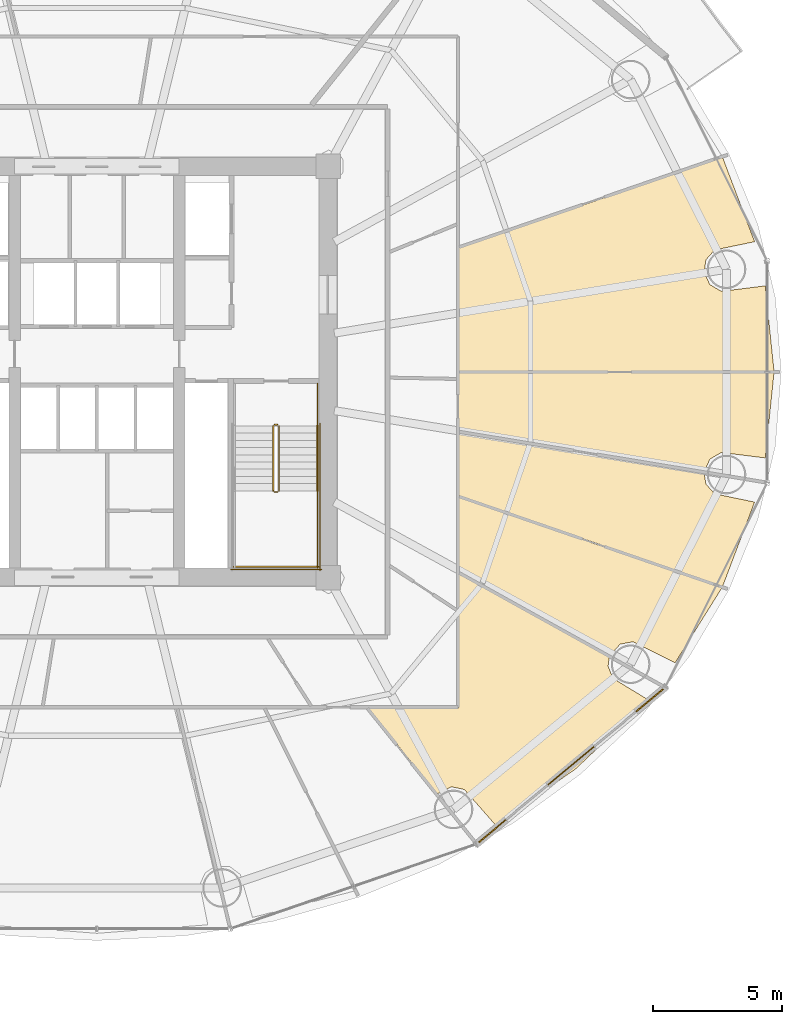
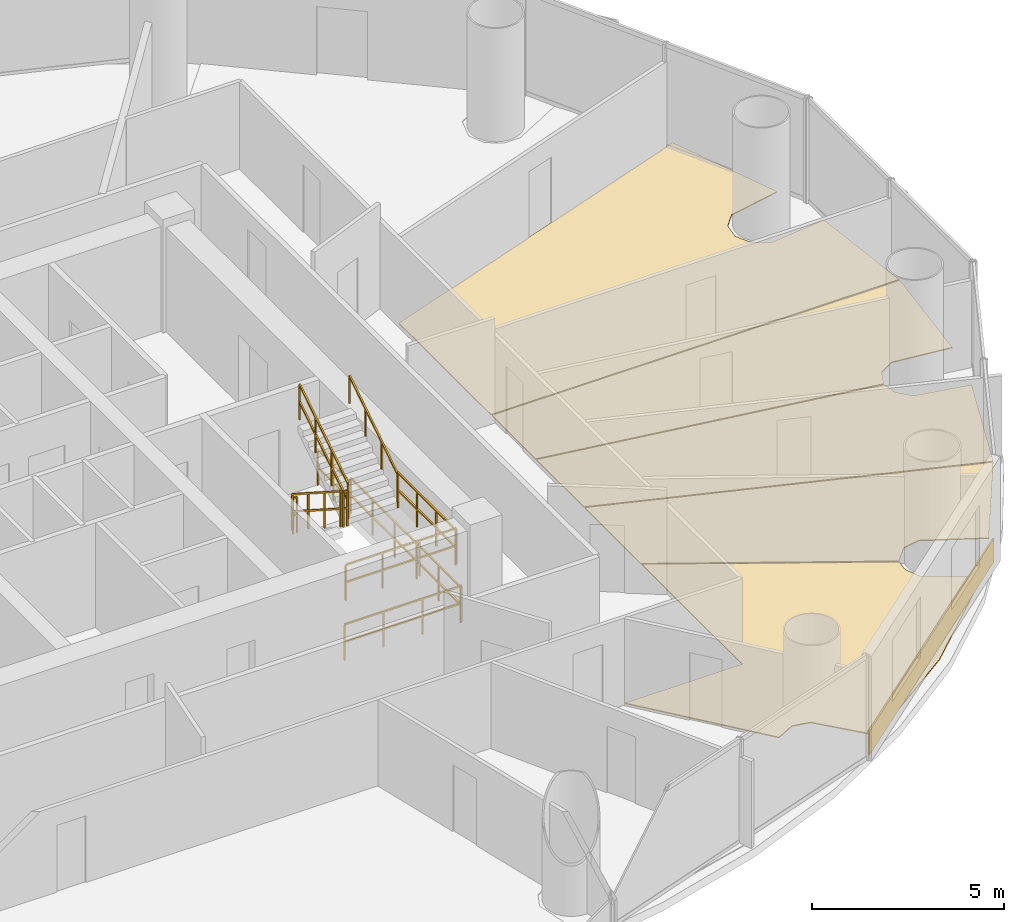
# One storey, part 28 of 29: 10 railings, 6 coverings.
"""IFC4 building model written with IfcOpenShell, lengths in metres."""

from ifc_helpers import new_model, si_unit, direction, frame, origin, origin_2d, place, context, subcontext, project, spatial, polyline, rectangle, outline, extrude, source, transform, mapped, material, layer, layer_set, type_object, element, save


model = new_model("IFC4")

# Units and contexts
model_context = context("Model", 3, precision=1e-05, world=origin(), true_north=direction((-0.2419218956, 0.970295726276)))
body_context = subcontext(model_context, "Body", "Model", "MODEL_VIEW")
ifc_project = project(units=[si_unit("LENGTHUNIT", "METRE"), si_unit("AREAUNIT", "SQUARE_METRE"), si_unit("VOLUMEUNIT", "CUBIC_METRE"), si_unit("PLANEANGLEUNIT", "RADIAN"), si_unit("MASSUNIT", "GRAM", prefix="KILO")], contexts=[model_context])

# Site, building, storey
site_placement = place(None, origin())
site = spatial("IfcSite", under=ifc_project, at=site_placement, CompositionType="ELEMENT")
building_placement = place(site_placement, origin())
building = spatial("IfcBuilding", under=site, at=building_placement, Name="Cobrevalo Terracotta Tower", CompositionType="ELEMENT")
storey_placement = place(building_placement, frame((0.0, 0.0, 119.39990234375)))
storey = spatial("IfcBuildingStorey", under=building, at=storey_placement, Name="L31", CompositionType="ELEMENT", Elevation=119.39990234375)

# Coverings
ifc_material_1 = material(Name="Engineered Brazilian hardwood flooring", Category="wood")
ifc_layer_1 = layer(ifc_material_1, 0.028076171875)
ifc_layer_set_1 = layer_set([ifc_layer_1], Name="Engineered Brazilian hardwood flooring")
covering_type_1 = type_object("IfcCoveringType", Name="Engineered Hardwood Suite Flooring 28", PredefinedType="FLOORING", material=ifc_layer_set_1)
covering_1_placement = place(storey_placement, origin())
element("IfcCovering", 1, at=covering_1_placement, inside=storey, type_object=covering_type_1, Name="Flat L31B Principal Guest Bedroom floor finish", PredefinedType="FLOORING", context=body_context, shape_type="SweptSolid", body=[
    extrude(outline(polyline([(56.6123046875, 11.372314453125), (53.488525390625, 9.193359375), (52.27880859375, 10.5712890625), (51.778076171875, 10.672607421875), (51.219970703125, 10.393798828125), (48.52490234375, 13.7451171875), (52.054931640625, 13.7451171875), (52.054931640625, 18.974609375), (57.916259765625, 15.720703125), (57.868408203125, 15.361328125), (58.05908203125, 14.88720703125), (59.35302734375, 14.102294921875), (58.882080078125, 13.518310546875), (56.6123046875, 11.372314453125)])), origin(), (0.0, 0.0, 1.0), 0.030029296875),
])
covering_2_placement = place(storey_placement, origin())
element("IfcCovering", 2, at=covering_2_placement, inside=storey, type_object=covering_type_1, Name="Flat L31B South Bedroom floor finish", PredefinedType="FLOORING", context=body_context, shape_type="SweptSolid", body=[
    extrude(outline(polyline([(60.474853515625, 15.49462890625), (58.84033203125, 16.3134765625), (58.338134765625, 16.218994140625), (57.9296875, 15.759033203125), (52.054931640625, 19.020263671875), (52.054931640625, 21.94189453125), (62.296875, 18.417236328125), (60.474853515625, 15.49462890625)])), origin(), (0.0, 0.0, 1.0), 0.030029296875),
])
covering_3_placement = place(storey_placement, origin())
element("IfcCovering", 3, at=covering_3_placement, inside=storey, type_object=covering_type_1, Name="Flat L31B Penthouse Family Lounge floor finish", PredefinedType="FLOORING", context=body_context, shape_type="SweptSolid", body=[
    extrude(outline(polyline([(52.054931640625, 21.984375), (52.054931640625, 24.45703125), (61.597412109375, 22.8798828125), (61.669677734375, 22.445556640625), (62.00732421875, 22.06201171875), (63.564208984375, 21.740478515625), (62.3154296875, 18.453369140625), (52.054931640625, 21.984375)])), origin(), (0.0, 0.0, 1.0), 0.030029296875),
])
covering_4_placement = place(storey_placement, origin())
element("IfcCovering", 4, at=covering_4_placement, inside=storey, type_object=covering_type_1, Name="Flat L31B Penthouse Family Lounge floor finish", PredefinedType="FLOORING", context=body_context, shape_type="SweptSolid", body=[
    extrude(outline(polyline([(64.318359375, 26.780029296875), (63.975830078125, 23.45654296875), (62.26904296875, 23.6669921875), (61.8271484375, 23.41064453125), (61.60302734375, 22.919677734375), (52.054931640625, 24.49755859375), (52.054931640625, 26.780029296875), (64.318359375, 26.780029296875)])), origin(), (0.0, 0.0, 1.0), 0.030029296875),
])
covering_5_placement = place(storey_placement, origin())
element("IfcCovering", 5, at=covering_5_placement, inside=storey, type_object=covering_type_1, Name="Flat L31B Penthouse Family Lounge floor finish", PredefinedType="FLOORING", context=body_context, shape_type="SweptSolid", body=[
    extrude(outline(polyline([(62.3154296875, 35.146728515625), (63.564208984375, 31.859619140625), (62.00732421875, 31.537841796875), (61.669677734375, 31.154541015625), (61.60205078125, 30.64794921875), (61.8271484375, 30.189208984375), (62.26904296875, 29.932861328125), (63.975830078125, 30.143310546875), (64.318359375, 26.820068359375), (52.054931640625, 26.820068359375), (52.054931640625, 31.61572265625), (62.3154296875, 35.146728515625)])), origin(), (0.0, 0.0, 1.0), 0.030029296875),
])

# Railings
ifc_material_2 = material(Name="Brushed stainless steel", Category="steel")
railing_type_1 = type_object("IfcRailingType", Name="Stainless Steel Stair Handrail 900", PredefinedType="HANDRAIL", material=ifc_material_2)
railing_1_placement = place(storey_placement, frame((46.574951171875, 22.179931640625, 1.97998046875)))
element("IfcRailing", 6, at=railing_1_placement, inside=storey, type_object=railing_type_1, Name="L31 ST-2 stair handrail 2", PredefinedType="HANDRAIL", context=body_context, shape_type="SweptSolid", body=[
    extrude(rectangle(XDim=0.048095703125, YDim=0.048095703125, at=origin_2d()), frame((0.0, 0.0, 0.8759765625), z_axis=(0.0, 0.841162588446, 0.540782303519), x_axis=(-1.0, 0.0, 0.0)), (0.0, 0.0, 1.0), 2.995849609375),
    extrude(rectangle(XDim=0.0419921875, YDim=0.0419921875, at=origin_2d()), origin(), (0.0, 0.0, 1.0), 0.851806640625),
    extrude(rectangle(XDim=0.0419921875, YDim=0.0419921875, at=origin_2d()), frame((0.0, 0.840087890625, 0.5400390625)), (0.0, 0.0, 1.0), 0.851806640625),
    extrude(rectangle(XDim=0.0419921875, YDim=0.0419921875, at=origin_2d()), frame((0.0, 1.679931640625, 1.080078125)), (0.0, 0.0, 1.0), 0.851806640625),
    extrude(rectangle(XDim=0.0419921875, YDim=0.0419921875, at=origin_2d()), frame((0.0, 2.52001953125, 1.6201171875)), (0.0, 0.0, 1.0), 0.851806640625),
])
ifc_material_3 = material(Name="Painted galvanized steel", Category="steel")
railing_type_2 = type_object("IfcRailingType", Name="Stair Well Guard Balustrade 1150", PredefinedType="GUARDRAIL", material=ifc_material_3)
railing_2_placement = place(storey_placement, frame((44.85498046875, 24.699951171875, 0.18017578125)))
element("IfcRailing", 7, at=railing_2_placement, inside=storey, type_object=railing_type_2, Name="L31 ST-2 stair guard 1", PredefinedType="GUARDRAIL", context=body_context, shape_type="SweptSolid", body=[
    extrude(rectangle(XDim=0.048095703125, YDim=0.048095703125, at=origin_2d()), frame((0.0, 0.0, 1.1259765625), z_axis=(0.0, -0.841199657755, 0.540724639528), x_axis=(1.0, 0.0, 0.0)), (0.0, 0.0, 1.0), 2.995849609375),
    extrude(rectangle(XDim=0.048095703125, YDim=0.048095703125, at=origin_2d()), frame((0.0, 0.0, 0.574951171875), z_axis=(0.0, -0.841199657755, 0.540724639528), x_axis=(1.0, 0.0, 0.0)), (0.0, 0.0, 1.0), 2.995849609375),
    extrude(rectangle(XDim=0.0419921875, YDim=0.0419921875, at=origin_2d()), origin(), (0.0, 0.0, 1.0), 1.101806640625),
    extrude(rectangle(XDim=0.0419921875, YDim=0.0419921875, at=origin_2d()), frame((0.0, -0.840087890625, 0.5400390625)), (0.0, 0.0, 1.0), 1.101806640625),
    extrude(rectangle(XDim=0.0419921875, YDim=0.0419921875, at=origin_2d()), frame((0.0, -1.679931640625, 1.079833984375)), (0.0, 0.0, 1.0), 1.101806640625),
    extrude(rectangle(XDim=0.0419921875, YDim=0.0419921875, at=origin_2d()), frame((0.0, -2.52001953125, 1.619873046875)), (0.0, 0.0, 1.0), 1.101806640625),
])
railing_3_placement = place(storey_placement, frame((44.905029296875, 22.1298828125, 1.800048828125)))
element("IfcRailing", 8, at=railing_3_placement, inside=storey, type_object=railing_type_2, Name="L31 ST-2 stair guard 2", PredefinedType="GUARDRAIL", context=body_context, shape_type="SweptSolid", body=[
    extrude(rectangle(XDim=0.048095703125, YDim=0.048095703125, at=origin_2d()), frame((0.0, 0.0, 1.1259765625), z_axis=(1.0, 0.0, 0.0), x_axis=(0.0, 1.0, 0.0)), (0.0, 0.0, 1.0), 0.119873046875),
    extrude(rectangle(XDim=0.048095703125, YDim=0.048095703125, at=origin_2d()), frame((0.0, 0.0, 0.574951171875), z_axis=(1.0, 0.0, 0.0), x_axis=(0.0, 1.0, 0.0)), (0.0, 0.0, 1.0), 0.119873046875),
    extrude(rectangle(XDim=0.0419921875, YDim=0.0419921875, at=origin_2d()), origin(), (0.0, 0.0, 1.0), 1.101806640625),
    extrude(rectangle(XDim=0.0419921875, YDim=0.0419921875, at=origin_2d()), frame((0.119873046875, 0.0, 0.0)), (0.0, 0.0, 1.0), 1.101806640625),
])
railing_4_placement = place(storey_placement, frame((46.574951171875, 22.179931640625, 1.800048828125)))
element("IfcRailing", 9, at=railing_4_placement, inside=storey, type_object=railing_type_2, Name="L31 ST-2 stair guard 4", PredefinedType="GUARDRAIL", context=body_context, shape_type="SweptSolid", body=[
    extrude(rectangle(XDim=0.048095703125, YDim=0.048095703125, at=origin_2d()), frame((0.0, 0.0, 1.1259765625), z_axis=(0.0, -1.0, 0.0), x_axis=(1.0, 0.0, 0.0)), (0.0, 0.0, 1.0), 3.0048828125),
    extrude(rectangle(XDim=0.048095703125, YDim=0.048095703125, at=origin_2d()), frame((0.0, 0.0, 0.574951171875), z_axis=(0.0, -1.0, 0.0), x_axis=(1.0, 0.0, 0.0)), (0.0, 0.0, 1.0), 3.0048828125),
    extrude(rectangle(XDim=0.0419921875, YDim=0.0419921875, at=origin_2d()), origin(), (0.0, 0.0, 1.0), 1.101806640625),
    extrude(rectangle(XDim=0.0419921875, YDim=0.0419921875, at=origin_2d()), frame((0.0, -1.001708984375, 0.0)), (0.0, 0.0, 1.0), 1.101806640625),
    extrude(rectangle(XDim=0.0419921875, YDim=0.0419921875, at=origin_2d()), frame((0.0, -2.003173828125, 0.0)), (0.0, 0.0, 1.0), 1.101806640625),
    extrude(rectangle(XDim=0.0419921875, YDim=0.0419921875, at=origin_2d()), frame((0.0, -3.0048828125, 0.0)), (0.0, 0.0, 1.0), 1.101806640625),
])
railing_5_placement = place(storey_placement, frame((43.304931640625, 19.22509765625, 1.800048828125)))
element("IfcRailing", 10, at=railing_5_placement, inside=storey, type_object=railing_type_2, Name="L31 ST-2 stair guard 5", PredefinedType="GUARDRAIL", context=body_context, shape_type="SweptSolid", body=[
    extrude(rectangle(XDim=0.048095703125, YDim=0.048095703125, at=origin_2d()), frame((0.0, 0.0, 1.1259765625), z_axis=(1.0, 0.0, 0.0), x_axis=(0.0, 1.0, 0.0)), (0.0, 0.0, 1.0), 3.320068359375),
    extrude(rectangle(XDim=0.048095703125, YDim=0.048095703125, at=origin_2d()), frame((0.0, 0.0, 0.574951171875), z_axis=(1.0, 0.0, 0.0), x_axis=(0.0, 1.0, 0.0)), (0.0, 0.0, 1.0), 3.320068359375),
    extrude(rectangle(XDim=0.0419921875, YDim=0.0419921875, at=origin_2d()), origin(), (0.0, 0.0, 1.0), 1.101806640625),
    extrude(rectangle(XDim=0.0419921875, YDim=0.0419921875, at=origin_2d()), frame((1.106689453125, 0.0, 0.0)), (0.0, 0.0, 1.0), 1.101806640625),
    extrude(rectangle(XDim=0.0419921875, YDim=0.0419921875, at=origin_2d()), frame((2.21337890625, 0.0, 0.0)), (0.0, 0.0, 1.0), 1.101806640625),
    extrude(rectangle(XDim=0.0419921875, YDim=0.0419921875, at=origin_2d()), frame((3.320068359375, 0.0, 0.0)), (0.0, 0.0, 1.0), 1.101806640625),
])
railing_6_placement = place(storey_placement, frame((45.074951171875, 22.179931640625, 1.97998046875)))
element("IfcRailing", 11, at=railing_6_placement, inside=storey, type_object=railing_type_2, Name="L31 ST-2 stair guard 6", PredefinedType="GUARDRAIL", context=body_context, shape_type="SweptSolid", body=[
    extrude(rectangle(XDim=0.048095703125, YDim=0.048095703125, at=origin_2d()), frame((0.0, 0.0, 1.1259765625), z_axis=(0.0, 0.841162588446, 0.540782303519), x_axis=(-1.0, 0.0, 0.0)), (0.0, 0.0, 1.0), 2.995849609375),
    extrude(rectangle(XDim=0.048095703125, YDim=0.048095703125, at=origin_2d()), frame((0.0, 0.0, 0.574951171875), z_axis=(0.0, 0.841162588446, 0.540782303519), x_axis=(-1.0, 0.0, 0.0)), (0.0, 0.0, 1.0), 2.995849609375),
    extrude(rectangle(XDim=0.0419921875, YDim=0.0419921875, at=origin_2d()), origin(), (0.0, 0.0, 1.0), 1.101806640625),
    extrude(rectangle(XDim=0.0419921875, YDim=0.0419921875, at=origin_2d()), frame((0.0, 0.840087890625, 0.5400390625)), (0.0, 0.0, 1.0), 1.101806640625),
    extrude(rectangle(XDim=0.0419921875, YDim=0.0419921875, at=origin_2d()), frame((0.0, 1.679931640625, 1.080078125)), (0.0, 0.0, 1.0), 1.101806640625),
    extrude(rectangle(XDim=0.0419921875, YDim=0.0419921875, at=origin_2d()), frame((0.0, 2.52001953125, 1.6201171875)), (0.0, 0.0, 1.0), 1.101806640625),
])
railing_7_placement = place(storey_placement, frame((44.905029296875, 24.75, 0.0)))
element("IfcRailing", 12, at=railing_7_placement, inside=storey, type_object=railing_type_2, Name="L31 ST-2 stair guard 7", PredefinedType="GUARDRAIL", context=body_context, shape_type="SweptSolid", body=[
    extrude(rectangle(XDim=0.048095703125, YDim=0.048095703125, at=origin_2d()), frame((0.0, 0.0, 1.1259765625), z_axis=(1.0, 0.0, 0.0), x_axis=(0.0, 1.0, 0.0)), (0.0, 0.0, 1.0), 0.119873046875),
    extrude(rectangle(XDim=0.048095703125, YDim=0.048095703125, at=origin_2d()), frame((0.0, 0.0, 0.574951171875), z_axis=(1.0, 0.0, 0.0), x_axis=(0.0, 1.0, 0.0)), (0.0, 0.0, 1.0), 0.119873046875),
    extrude(rectangle(XDim=0.0419921875, YDim=0.0419921875, at=origin_2d()), origin(), (0.0, 0.0, 1.0), 1.101806640625),
    extrude(rectangle(XDim=0.0419921875, YDim=0.0419921875, at=origin_2d()), frame((0.119873046875, 0.0, 0.0)), (0.0, 0.0, 1.0), 1.101806640625),
])
railing_8_placement = place(storey_placement, frame((46.574951171875, 26.35009765625, 0.0)))
element("IfcRailing", 13, at=railing_8_placement, inside=storey, type_object=railing_type_2, Name="L31 ST-2 stair guard 9", PredefinedType="GUARDRAIL", context=body_context, shape_type="SweptSolid", body=[
    extrude(rectangle(XDim=0.048095703125, YDim=0.048095703125, at=origin_2d()), frame((0.0, 0.0, 1.1259765625), z_axis=(0.0, -1.0, 0.0), x_axis=(1.0, 0.0, 0.0)), (0.0, 0.0, 1.0), 1.650146484375),
    extrude(rectangle(XDim=0.048095703125, YDim=0.048095703125, at=origin_2d()), frame((0.0, 0.0, 0.574951171875), z_axis=(0.0, -1.0, 0.0), x_axis=(1.0, 0.0, 0.0)), (0.0, 0.0, 1.0), 1.650146484375),
    extrude(rectangle(XDim=0.0419921875, YDim=0.0419921875, at=origin_2d()), origin(), (0.0, 0.0, 1.0), 1.101806640625),
    extrude(rectangle(XDim=0.0419921875, YDim=0.0419921875, at=origin_2d()), frame((0.0, -0.8251953125, 0.0)), (0.0, 0.0, 1.0), 1.101806640625),
    extrude(rectangle(XDim=0.0419921875, YDim=0.0419921875, at=origin_2d()), frame((0.0, -1.650146484375, 0.0)), (0.0, 0.0, 1.0), 1.101806640625),
])
railing_9_placement = place(storey_placement, frame((46.675048828125, 24.800048828125, 0.0)))
element("IfcRailing", 14, at=railing_9_placement, inside=storey, type_object=railing_type_2, Name="L31 ST-2 stair guard 11", PredefinedType="GUARDRAIL", context=body_context, shape_type="SweptSolid", body=[
    extrude(rectangle(XDim=0.048095703125, YDim=0.048095703125, at=origin_2d()), frame((0.0, 0.0, 1.1259765625), z_axis=(0.0, -1.0, 0.0), x_axis=(1.0, 0.0, 0.0)), (0.0, 0.0, 1.0), 5.72509765625),
    extrude(rectangle(XDim=0.048095703125, YDim=0.048095703125, at=origin_2d()), frame((0.0, 0.0, 0.574951171875), z_axis=(0.0, -1.0, 0.0), x_axis=(1.0, 0.0, 0.0)), (0.0, 0.0, 1.0), 5.72509765625),
    extrude(rectangle(XDim=0.0419921875, YDim=0.0419921875, at=origin_2d()), origin(), (0.0, 0.0, 1.0), 1.101806640625),
    extrude(rectangle(XDim=0.0419921875, YDim=0.0419921875, at=origin_2d()), frame((0.0, -1.14501953125, 0.0)), (0.0, 0.0, 1.0), 1.101806640625),
    extrude(rectangle(XDim=0.0419921875, YDim=0.0419921875, at=origin_2d()), frame((0.0, -2.2900390625, 0.0)), (0.0, 0.0, 1.0), 1.101806640625),
    extrude(rectangle(XDim=0.0419921875, YDim=0.0419921875, at=origin_2d()), frame((0.0, -3.43505859375, 0.0)), (0.0, 0.0, 1.0), 1.101806640625),
    extrude(rectangle(XDim=0.0419921875, YDim=0.0419921875, at=origin_2d()), frame((0.0, -4.580078125, 0.0)), (0.0, 0.0, 1.0), 1.101806640625),
    extrude(rectangle(XDim=0.0419921875, YDim=0.0419921875, at=origin_2d()), frame((0.0, -5.72509765625, 0.0)), (0.0, 0.0, 1.0), 1.101806640625),
])
railing_10_placement = place(storey_placement, frame((43.205078125, 19.125, 0.0)))
element("IfcRailing", 15, at=railing_10_placement, inside=storey, type_object=railing_type_2, Name="L31 ST-2 stair guard 12", PredefinedType="GUARDRAIL", context=body_context, shape_type="SweptSolid", body=[
    extrude(rectangle(XDim=0.048095703125, YDim=0.048095703125, at=origin_2d()), frame((0.0, 0.0, 1.1259765625), z_axis=(1.0, 0.0, 0.0), x_axis=(0.0, 1.0, 0.0)), (0.0, 0.0, 1.0), 3.52001953125),
    extrude(rectangle(XDim=0.048095703125, YDim=0.048095703125, at=origin_2d()), frame((0.0, 0.0, 0.574951171875), z_axis=(1.0, 0.0, 0.0), x_axis=(0.0, 1.0, 0.0)), (0.0, 0.0, 1.0), 3.52001953125),
    extrude(rectangle(XDim=0.0419921875, YDim=0.0419921875, at=origin_2d()), origin(), (0.0, 0.0, 1.0), 1.101806640625),
    extrude(rectangle(XDim=0.0419921875, YDim=0.0419921875, at=origin_2d()), frame((1.17333984375, 0.0, 0.0)), (0.0, 0.0, 1.0), 1.101806640625),
    extrude(rectangle(XDim=0.0419921875, YDim=0.0419921875, at=origin_2d()), frame((2.3466796875, 0.0, 0.0)), (0.0, 0.0, 1.0), 1.101806640625),
    extrude(rectangle(XDim=0.0419921875, YDim=0.0419921875, at=origin_2d()), frame((3.52001953125, 0.0, 0.0)), (0.0, 0.0, 1.0), 1.101806640625),
])

# Covering
ifc_material_4 = material(Name="Glazed terracotta facade cladding tile", Category="masonry")
ifc_layer_2 = layer(ifc_material_4, 0.044921875)
ifc_layer_set_2 = layer_set([ifc_layer_2], Name="Glazed terracotta facade cladding tile")
covering_type_2 = type_object("IfcCoveringType", Name="Architectural terracotta rainscreen spandrel cladding 45 mm", PredefinedType="CLADDING", material=ifc_layer_set_2)
shared_shape = source(origin(), body_context, "Body", "SweptSolid", [
    extrude(rectangle(XDim=9.32958984375, YDim=0.044921875, at=origin_2d()), origin(), (0.0, 0.0, 1.0), 0.760009765625),
])
covering_6_placement = place(storey_placement, frame((56.4267578125, 11.493896484375, 0.0400390625), z_axis=(0.0, 0.0, 1.0), x_axis=(0.769241221277, 0.638958483384, 0.0)))
element("IfcCovering", 16, at=covering_6_placement, inside=storey, type_object=covering_type_2, Name="L31 terracotta spandrel cladding S14", PredefinedType="CLADDING", context=body_context, shape_type="MappedRepresentation", body=[
    mapped(shared_shape, transform((0.0, 0.0, 0.0), scale=1.0)),
])

save(model, "model.ifc")
